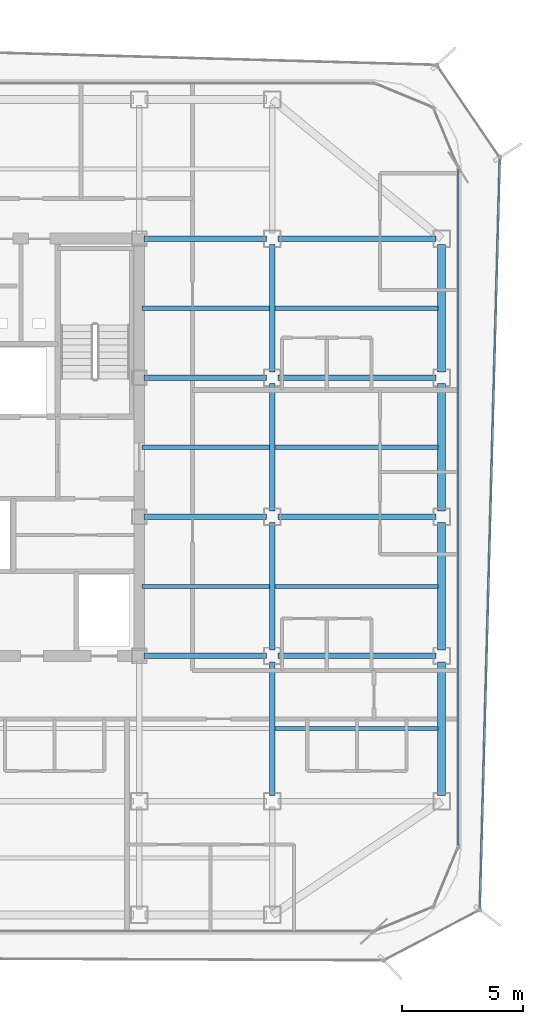
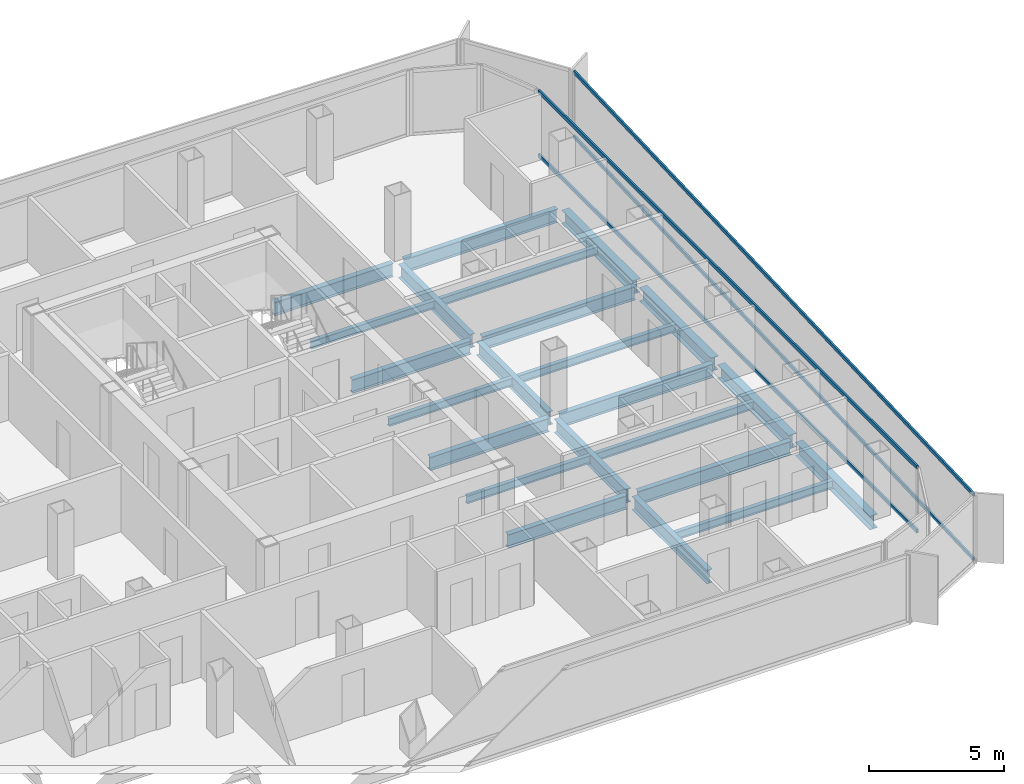
# One storey, part 5 of 16: 23 beams, 4 members, 2 elements without a shape of their own.
"""IFC4 building model written with IfcOpenShell, lengths in metres."""

from ifc_helpers import new_model, si_unit, direction, frame, origin, origin_2d, place, context, subcontext, project, spatial, hollow_rectangle, i_section, extrude, source, transform, mapped, material, layer, layer_set, material_profile, profile_set, type_object, element, aggregate, save


model = new_model("IFC4")

# Units and contexts
model_context = context("Model", 3, precision=1e-05, world=origin(), true_north=direction((0.0, 1.0)))
body_context = subcontext(model_context, "Body", "Model", "MODEL_VIEW")
ifc_project = project(units=[si_unit("LENGTHUNIT", "METRE"), si_unit("AREAUNIT", "SQUARE_METRE"), si_unit("VOLUMEUNIT", "CUBIC_METRE"), si_unit("PLANEANGLEUNIT", "RADIAN"), si_unit("MASSUNIT", "GRAM", prefix="KILO")], contexts=[model_context])

# Site, building, storey
site_placement = place(None, origin())
site = spatial("IfcSite", under=ifc_project, at=site_placement, CompositionType="ELEMENT")
building_placement = place(site_placement, origin())
building = spatial("IfcBuilding", under=site, at=building_placement, Name="Kolveth Station Tower", CompositionType="ELEMENT")
storey_placement = place(building_placement, frame((0.0, 0.0, 159.300048828125)))
storey = spatial("IfcBuildingStorey", under=building, at=storey_placement, Name="L44", CompositionType="ELEMENT", Elevation=159.300048828125)

# Beams
ifc_material_1 = material(Name="Steel S355", Category="steel")
ifc_material_profile_1 = material_profile(ifc_material_1, i_section(OverallWidth=0.323974609375, OverallDepth=0.611083984375, WebThickness=0.0126953125, FlangeThickness=0.01904296875, at=origin_2d()), Name="W610x155")
ifc_profile_set_1 = profile_set([ifc_material_profile_1], Name="Steel S355")
beam_type_1 = type_object("IfcBeamType", Name="Beam_SP2", PredefinedType="SPANDREL", material=ifc_profile_set_1)
shared_shape_1 = source(origin(), body_context, "Body", "SweptSolid", [
    extrude(i_section(OverallWidth=0.323974609375, OverallDepth=0.611083984375, WebThickness=0.0126953125, FlangeThickness=0.01904296875, at=origin_2d()), origin(), (0.0, 0.0, 1.0), 5.52001953125),
])
beam_1_placement = place(storey_placement, frame((41.0, 5.739990234375, -0.5556640625), z_axis=(0.0, 1.0, 0.0), x_axis=(-1.0, 0.0, 0.0)))
element("IfcBeam", 1, at=beam_1_placement, inside=storey, type_object=beam_type_1, Name="L44 Perimeter Spandrel BM-L44-PE-1", PredefinedType="SPANDREL", context=body_context, shape_type="MappedRepresentation", body=[
    mapped(shared_shape_1, transform((0.0, 0.0, 0.0), x_axis=(1.0, 0.0, 0.0), y_axis=(0.0, 1.0, 0.0), z_axis=(0.0, 0.0, 1.0), scale=1.0)),
])
shared_shape_2 = source(origin(), body_context, "Body", "SweptSolid", [
    extrude(i_section(OverallWidth=0.323974609375, OverallDepth=0.611083984375, WebThickness=0.0126953125, FlangeThickness=0.01904296875, at=origin_2d()), origin(), (0.0, 0.0, 1.0), 5.27001953125),
])
for number, where, z_axis, x_axis, name in (
    (2, (41.0, 11.739990234375, -0.5556640625), (0.0, 1.0, 0.0), (-1.0, 0.0, 0.0), "L44 Perimeter Spandrel BM-L44-PE-2"),
    (3, (41.0, 17.489990234375, -0.5556640625), (0.0, 1.0, 0.0), (-1.0, 0.0, 0.0), "L44 Perimeter Spandrel BM-L44-PE-3"),
    (4, (41.0, 23.239990234375, -0.5556640625), (0.0, 1.0, 0.0), (-1.0, 0.0, 0.0), "L44 Perimeter Spandrel BM-L44-PE-4"),
):
    element("IfcBeam", number, at=place(storey_placement, frame(where, z_axis=z_axis, x_axis=x_axis)), inside=storey, type_object=beam_type_1, Name=name, PredefinedType="SPANDREL", context=body_context, shape_type="MappedRepresentation", body=[
        mapped(shared_shape_2, transform((0.0, 0.0, 0.0), x_axis=(1.0, 0.0, 0.0), y_axis=(0.0, 1.0, 0.0), z_axis=(0.0, 0.0, 1.0), scale=1.0)),
    ])
ifc_material_profile_2 = material_profile(ifc_material_1, i_section(OverallWidth=0.22900390625, OverallDepth=0.612060546875, WebThickness=0.011962890625, FlangeThickness=0.01953125, at=origin_2d()), Name="W610x125")
ifc_profile_set_2 = profile_set([ifc_material_profile_2], Name="Steel S355")
beam_type_2 = type_object("IfcBeamType", Name="Beam_B5", PredefinedType="BEAM", material=ifc_profile_set_2)
shared_shape_3 = source(origin(), body_context, "Body", "SweptSolid", [
    extrude(i_section(OverallWidth=0.22900390625, OverallDepth=0.612060546875, WebThickness=0.011962890625, FlangeThickness=0.01953125, at=origin_2d()), origin(), (0.0, 0.0, 1.0), 6.52001953125),
])
for number, where, z_axis, x_axis, name in (
    (5, (34.239990234375, 11.5, -0.55615234375), (1.0, 0.0, 0.0), (0.0, 1.0, 0.0), "L44 Primary Girder BM-L44-GY115-6"),
    (6, (34.239990234375, 17.25, -0.55615234375), (1.0, 0.0, 0.0), (0.0, 1.0, 0.0), "L44 Primary Girder BM-L44-GY172-6"),
    (7, (34.239990234375, 23.0, -0.55615234375), (1.0, 0.0, 0.0), (0.0, 1.0, 0.0), "L44 Primary Girder BM-L44-GY230-6"),
    (8, (34.239990234375, 28.75, -0.55615234375), (1.0, 0.0, 0.0), (0.0, 1.0, 0.0), "L44 Primary Girder BM-L44-GY287-6"),
):
    element("IfcBeam", number, at=place(storey_placement, frame(where, z_axis=z_axis, x_axis=x_axis)), inside=storey, type_object=beam_type_2, Name=name, PredefinedType="BEAM", context=body_context, shape_type="MappedRepresentation", body=[
        mapped(shared_shape_3, transform((0.0, 0.0, 0.0), x_axis=(1.0, 0.0, 0.0), y_axis=(0.0, 1.0, 0.0), z_axis=(0.0, 0.0, 1.0), scale=1.0)),
    ])
shared_shape_4 = source(origin(), body_context, "Body", "SweptSolid", [
    extrude(i_section(OverallWidth=0.22900390625, OverallDepth=0.612060546875, WebThickness=0.011962890625, FlangeThickness=0.01953125, at=origin_2d()), origin(), (0.0, 0.0, 1.0), 5.06005859375),
])
for number, where, z_axis, x_axis, name in (
    (9, (28.699951171875, 11.5, -0.55615234375), (1.0, 0.0, 0.0), (0.0, 1.0, 0.0), "L44 Primary Girder BM-L44-GY115-5"),
    (10, (28.699951171875, 17.25, -0.55615234375), (1.0, 0.0, 0.0), (0.0, 1.0, 0.0), "L44 Primary Girder BM-L44-GY172-5"),
    (11, (28.699951171875, 23.0, -0.55615234375), (1.0, 0.0, 0.0), (0.0, 1.0, 0.0), "L44 Primary Girder BM-L44-GY230-5"),
    (12, (28.699951171875, 28.75, -0.55615234375), (1.0, 0.0, 0.0), (0.0, 1.0, 0.0), "L44 Primary Girder BM-L44-GY287-5"),
):
    element("IfcBeam", number, at=place(storey_placement, frame(where, z_axis=z_axis, x_axis=x_axis)), inside=storey, type_object=beam_type_2, Name=name, PredefinedType="BEAM", context=body_context, shape_type="MappedRepresentation", body=[
        mapped(shared_shape_4, transform((0.0, 0.0, 0.0), x_axis=(1.0, 0.0, 0.0), y_axis=(0.0, 1.0, 0.0), z_axis=(0.0, 0.0, 1.0), scale=1.0)),
    ])
shared_shape_5 = source(origin(), body_context, "Body", "SweptSolid", [
    extrude(i_section(OverallWidth=0.22900390625, OverallDepth=0.612060546875, WebThickness=0.011962890625, FlangeThickness=0.01953125, at=origin_2d()), origin(), (0.0, 0.0, 1.0), 5.52001953125),
])
beam_2_placement = place(storey_placement, frame((34.0, 5.739990234375, -0.55615234375), z_axis=(0.0, 1.0, 0.0), x_axis=(-1.0, 0.0, 0.0)))
element("IfcBeam", 13, at=beam_2_placement, inside=storey, type_object=beam_type_2, Name="L44 Primary Girder BM-L44-GX340-2", PredefinedType="BEAM", context=body_context, shape_type="MappedRepresentation", body=[
    mapped(shared_shape_5, transform((0.0, 0.0, 0.0), x_axis=(1.0, 0.0, 0.0), y_axis=(0.0, 1.0, 0.0), z_axis=(0.0, 0.0, 1.0), scale=1.0)),
])
shared_shape_6 = source(origin(), body_context, "Body", "SweptSolid", [
    extrude(i_section(OverallWidth=0.22900390625, OverallDepth=0.612060546875, WebThickness=0.011962890625, FlangeThickness=0.01953125, at=origin_2d()), origin(), (0.0, 0.0, 1.0), 5.27001953125),
])
for number, where, z_axis, x_axis, name in (
    (14, (34.0, 11.739990234375, -0.55615234375), (0.0, 1.0, 0.0), (-1.0, 0.0, 0.0), "L44 Primary Girder BM-L44-GX340-3"),
    (15, (34.0, 17.489990234375, -0.55615234375), (0.0, 1.0, 0.0), (-1.0, 0.0, 0.0), "L44 Primary Girder BM-L44-GX340-4"),
    (16, (34.0, 23.239990234375, -0.55615234375), (0.0, 1.0, 0.0), (-1.0, 0.0, 0.0), "L44 Primary Girder BM-L44-GX340-5"),
):
    element("IfcBeam", number, at=place(storey_placement, frame(where, z_axis=z_axis, x_axis=x_axis)), inside=storey, type_object=beam_type_2, Name=name, PredefinedType="BEAM", context=body_context, shape_type="MappedRepresentation", body=[
        mapped(shared_shape_6, transform((0.0, 0.0, 0.0), x_axis=(1.0, 0.0, 0.0), y_axis=(0.0, 1.0, 0.0), z_axis=(0.0, 0.0, 1.0), scale=1.0)),
    ])
ifc_material_profile_3 = material_profile(ifc_material_1, i_section(OverallWidth=0.1708984375, OverallDepth=0.35205078125, WebThickness=0.0068359375, FlangeThickness=0.009765625, at=origin_2d()), Name="W360x44")
ifc_profile_set_3 = profile_set([ifc_material_profile_3], Name="Steel S355")
beam_type_3 = type_object("IfcBeamType", Name="Beam_J2", PredefinedType="JOIST", material=ifc_profile_set_3)
shared_shape_7 = source(origin(), body_context, "Body", "SweptSolid", [
    extrude(i_section(OverallWidth=0.1708984375, OverallDepth=0.35205078125, WebThickness=0.0068359375, FlangeThickness=0.009765625, at=origin_2d()), origin(), (0.0, 0.0, 1.0), 5.27490234375),
])
for number, where, z_axis, x_axis, name in (
    (17, (28.612548828125, 14.375, -0.426025390625), (1.0, 0.0, 0.0), (0.0, 1.0, 0.0), "L44 Secondary Joist JST-L44-5-3"),
    (18, (28.612548828125, 20.125, -0.426025390625), (1.0, 0.0, 0.0), (0.0, 1.0, 0.0), "L44 Secondary Joist JST-L44-5-4"),
    (19, (28.612548828125, 25.875, -0.426025390625), (1.0, 0.0, 0.0), (0.0, 1.0, 0.0), "L44 Secondary Joist JST-L44-5-5"),
):
    element("IfcBeam", number, at=place(storey_placement, frame(where, z_axis=z_axis, x_axis=x_axis)), inside=storey, type_object=beam_type_3, Name=name, PredefinedType="JOIST", context=body_context, shape_type="MappedRepresentation", body=[
        mapped(shared_shape_7, transform((0.0, 0.0, 0.0), x_axis=(1.0, 0.0, 0.0), y_axis=(0.0, 1.0, 0.0), z_axis=(0.0, 0.0, 1.0), scale=1.0)),
    ])
shared_shape_8 = source(origin(), body_context, "Body", "SweptSolid", [
    extrude(i_section(OverallWidth=0.1708984375, OverallDepth=0.35205078125, WebThickness=0.0068359375, FlangeThickness=0.009765625, at=origin_2d()), origin(), (0.0, 0.0, 1.0), 6.7275390625),
])
for number, where, z_axis, x_axis, name in (
    (20, (34.112548828125, 8.5, -0.426025390625), (1.0, 0.0, 0.0), (0.0, 1.0, 0.0), "L44 Secondary Joist JST-L44-6-2"),
    (21, (34.112548828125, 14.375, -0.426025390625), (1.0, 0.0, 0.0), (0.0, 1.0, 0.0), "L44 Secondary Joist JST-L44-6-3"),
    (22, (34.112548828125, 20.125, -0.426025390625), (1.0, 0.0, 0.0), (0.0, 1.0, 0.0), "L44 Secondary Joist JST-L44-6-4"),
    (23, (34.112548828125, 25.875, -0.426025390625), (1.0, 0.0, 0.0), (0.0, 1.0, 0.0), "L44 Secondary Joist JST-L44-6-5"),
):
    element("IfcBeam", number, at=place(storey_placement, frame(where, z_axis=z_axis, x_axis=x_axis)), inside=storey, type_object=beam_type_3, Name=name, PredefinedType="JOIST", context=body_context, shape_type="MappedRepresentation", body=[
        mapped(shared_shape_8, transform((0.0, 0.0, 0.0), x_axis=(1.0, 0.0, 0.0), y_axis=(0.0, 1.0, 0.0), z_axis=(0.0, 0.0, 1.0), scale=1.0)),
    ])

# Curtain wall, members
ifc_material_2 = material(Name="Aluminium 6063-T6 and low-E dark glass", Category="aluminium")
ifc_layer_1 = layer(ifc_material_2, 0.18994140625)
ifc_layer_set_1 = layer_set([ifc_layer_1], Name="Aluminium 6063-T6 and low-E dark glass")
curtain_wall_type_1 = type_object("IfcCurtainWallType", Name="CurtainWall_CW-Z2", PredefinedType="NOTDEFINED", material=ifc_layer_set_1)
curtain_wall_1_placement = place(storey_placement, origin())
curtain_wall_1 = element("IfcCurtainWall", 24, at=curtain_wall_1_placement, inside=storey, type_object=curtain_wall_type_1, Name="L44 Inner Thermal Curtain Wall 3", PredefinedType="NOTDEFINED")
ifc_material_3 = material(Name="Black anodized aluminium 6063-T6", Category="aluminium")
ifc_material_profile_4 = material_profile(ifc_material_3, hollow_rectangle(XDim=0.080078125, YDim=0.169921875, WallThickness=0.0048828125, at=origin_2d()), Name="ALU-80x170x5")
ifc_profile_set_4 = profile_set([ifc_material_profile_4], Name="Black anodized aluminium 6063-T6")
member_type_1 = type_object("IfcMemberType", Name="Transom_TR2", PredefinedType="USERDEFINED", material=ifc_profile_set_4)
shared_shape_9 = source(origin(), body_context, "Body", "SweptSolid", [
    extrude(hollow_rectangle(XDim=0.080078125, YDim=0.169921875, WallThickness=0.0048828125, at=origin_2d()), origin(), (0.0, 0.0, 1.0), 27.940185546875),
])
member_1_placement = place(storey_placement, frame((41.679931640625, 3.679931640625, 0.0400390625), z_axis=(0.0, 1.0, 0.0), x_axis=(-1.0, 0.0, 0.0)))
member_1 = element("IfcMember", 25, at=member_1_placement, type_object=member_type_1, Name="CW-Z2 transom 1.1", ObjectType="TRANSOM", PredefinedType="USERDEFINED", context=body_context, shape_type="MappedRepresentation", body=[
    mapped(shared_shape_9, transform((0.0, 0.0, 0.0), x_axis=(1.0, 0.0, 0.0), y_axis=(0.0, 1.0, 0.0), z_axis=(0.0, 0.0, 1.0), scale=1.0)),
])
member_2_placement = place(storey_placement, frame((41.679931640625, 3.679931640625, 2.909912109375), z_axis=(0.0, 1.0, 0.0), x_axis=(-1.0, 0.0, 0.0)))
member_2 = element("IfcMember", 26, at=member_2_placement, type_object=member_type_1, Name="CW-Z2 transom 1.2", ObjectType="TRANSOM", PredefinedType="USERDEFINED", context=body_context, shape_type="MappedRepresentation", body=[
    mapped(shared_shape_9, transform((0.0, 0.0, 0.0), x_axis=(1.0, 0.0, 0.0), y_axis=(0.0, 1.0, 0.0), z_axis=(0.0, 0.0, 1.0), scale=1.0)),
])
aggregate(curtain_wall_1, [member_1, member_2])

ifc_material_4 = material(Name="Black anodized aluminium 6063-T6 and dark solar glass", Category="aluminium")
ifc_layer_2 = layer(ifc_material_4, 0.159912109375)
ifc_layer_set_2 = layer_set([ifc_layer_2], Name="Black anodized aluminium 6063-T6 and dark solar glass")
curtain_wall_type_2 = type_object("IfcCurtainWallType", Name="OUTER SKIN CW-OS", PredefinedType="NOTDEFINED", material=ifc_layer_set_2)
curtain_wall_2_placement = place(storey_placement, origin())
curtain_wall_2 = element("IfcCurtainWall", 27, at=curtain_wall_2_placement, inside=storey, type_object=curtain_wall_type_2, Name="L44 Outer Ventilated Skin Curtain Wall 2", PredefinedType="NOTDEFINED")
ifc_material_profile_5 = material_profile(ifc_material_3, hollow_rectangle(XDim=0.080078125, YDim=0.14990234375, WallThickness=0.0048828125, at=origin_2d()), Name="ALU-80x150x5")
ifc_profile_set_5 = profile_set([ifc_material_profile_5], Name="Black anodized aluminium 6063-T6")
member_type_2 = type_object("IfcMemberType", Name="Transom_TR-OS", PredefinedType="USERDEFINED", material=ifc_profile_set_5)
shared_shape_10 = source(origin(), body_context, "Body", "SweptSolid", [
    extrude(hollow_rectangle(XDim=0.080078125, YDim=0.14990234375, WallThickness=0.0048828125, at=origin_2d()), origin(), (0.0, 0.0, 1.0), 30.931396484375),
])
member_3_placement = place(storey_placement, frame((42.579833984375, 1.094482421875, 0.0400390625), z_axis=(0.026638786383, 0.999645124562, 0.0), x_axis=(-0.999645124562, 0.026638786383, 0.0)))
member_3 = element("IfcMember", 28, at=member_3_placement, type_object=member_type_2, Name="CW-OS transom 1.1", ObjectType="TRANSOM", PredefinedType="USERDEFINED", context=body_context, shape_type="MappedRepresentation", body=[
    mapped(shared_shape_10, transform((0.0, 0.0, 0.0), x_axis=(1.0, 0.0, 0.0), y_axis=(0.0, 1.0, 0.0), z_axis=(0.0, 0.0, 1.0), scale=1.0)),
])
member_4_placement = place(storey_placement, frame((42.579833984375, 1.094482421875, 2.949951171875), z_axis=(0.026638786383, 0.999645124562, 0.0), x_axis=(-0.999645124562, 0.026638786383, 0.0)))
member_4 = element("IfcMember", 29, at=member_4_placement, type_object=member_type_2, Name="CW-OS transom 1.2", ObjectType="TRANSOM", PredefinedType="USERDEFINED", context=body_context, shape_type="MappedRepresentation", body=[
    mapped(shared_shape_10, transform((0.0, 0.0, 0.0), x_axis=(1.0, 0.0, 0.0), y_axis=(0.0, 1.0, 0.0), z_axis=(0.0, 0.0, 1.0), scale=1.0)),
])
aggregate(curtain_wall_2, [member_3, member_4])

save(model, "model.ifc")
